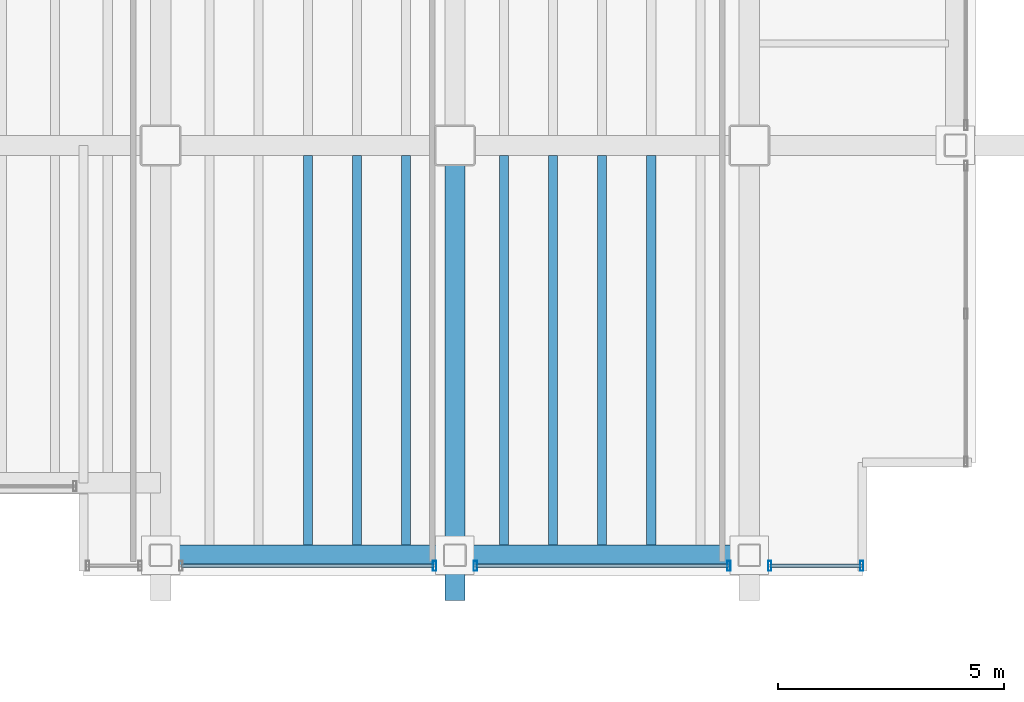
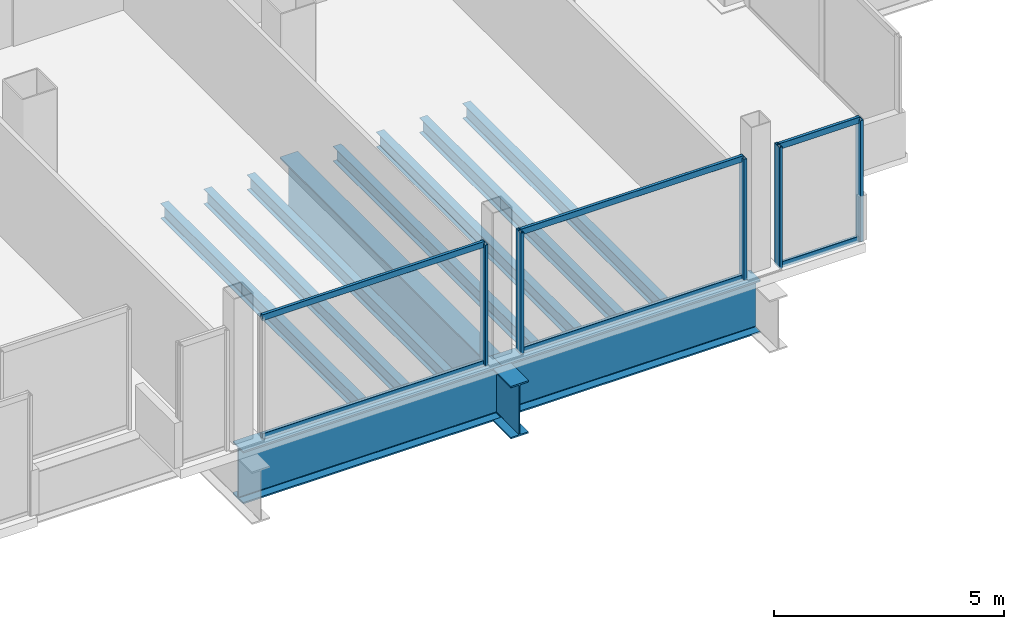
# One storey, part 14 of 24: 11 members, 10 beams, 3 elements without a shape of their own.
"""IFC4 building model written with IfcOpenShell, lengths in metres."""

from ifc_helpers import new_model, si_unit, direction, frame, origin, origin_2d, place, context, subcontext, project, spatial, hollow_rectangle, i_section, extrude, material, material_profile, profile_set, type_object, element, aggregate, save


model = new_model("IFC4")

# Units and contexts
model_context = context("Model", 3, precision=1e-05, world=origin(), true_north=direction((0.0, 1.0)))
body_context = subcontext(model_context, "Body", "Model", "MODEL_VIEW")
ifc_project = project(units=[si_unit("LENGTHUNIT", "METRE"), si_unit("AREAUNIT", "SQUARE_METRE"), si_unit("VOLUMEUNIT", "CUBIC_METRE"), si_unit("PLANEANGLEUNIT", "RADIAN"), si_unit("MASSUNIT", "GRAM", prefix="KILO")], contexts=[model_context])

# Site, building, storey
site_placement = place(None, origin())
site = spatial("IfcSite", under=ifc_project, at=site_placement, CompositionType="ELEMENT")
building_placement = place(site_placement, origin())
building = spatial("IfcBuilding", under=site, at=building_placement, Name="Noeulbin Bourse Tower", CompositionType="ELEMENT")
storey_placement = place(building_placement, frame((0.0, 0.0, 114.89990234375)))
storey = spatial("IfcBuildingStorey", under=building, at=storey_placement, Name="L28", CompositionType="ELEMENT", Elevation=114.89990234375)

# Beams
ifc_material_1 = material(Name="Steel S355", Category="steel")
ifc_material_profile_1 = material_profile(ifc_material_1, i_section(OverallWidth=0.199951171875, OverallDepth=0.39990234375, WebThickness=0.008056640625, FlangeThickness=0.012939453125, FilletRadius=0.01611328125, at=origin_2d()), Name="H-400x200x8x13", Category="LoadBearing")
ifc_profile_set_1 = profile_set([ifc_material_profile_1], Name="Steel S355")
beam_type_1 = type_object("IfcBeamType", Name="BM-SEC-400", PredefinedType="BEAM", material=ifc_profile_set_1)
for number, where, z_axis, x_axis, name in (
    (1, (34.25, 11.175048828125, -0.43994140625), (0.0, 1.0, 0.0), (-1.0, 0.0, 0.0), "Tower Composite Joist L28-31"),
    (2, (35.333251953125, 11.175048828125, -0.43994140625), (0.0, 1.0, 0.0), (-1.0, 0.0, 0.0), "Tower Composite Joist L28-33"),
    (3, (36.416748046875, 11.175048828125, -0.43994140625), (0.0, 1.0, 0.0), (-1.0, 0.0, 0.0), "Tower Composite Joist L28-35"),
    (4, (38.583251953125, 11.175048828125, -0.43994140625), (0.0, 1.0, 0.0), (-1.0, 0.0, 0.0), "Tower Composite Joist L28-37"),
    (5, (39.666748046875, 11.175048828125, -0.43994140625), (0.0, 1.0, 0.0), (-1.0, 0.0, 0.0), "Tower Composite Joist L28-39"),
    (6, (40.75, 11.175048828125, -0.43994140625), (0.0, 1.0, 0.0), (-1.0, 0.0, 0.0), "Tower Composite Joist L28-41"),
    (7, (41.833251953125, 11.175048828125, -0.43994140625), (0.0, 1.0, 0.0), (-1.0, 0.0, 0.0), "Tower Composite Joist L28-43"),
):
    element("IfcBeam", number, at=place(storey_placement, frame(where, z_axis=z_axis, x_axis=x_axis)), inside=storey, type_object=beam_type_1, Name=name, PredefinedType="BEAM", context=body_context, shape_type="SweptSolid", body=[
        extrude(i_section(OverallWidth=0.199951171875, OverallDepth=0.39990234375, WebThickness=0.008056640625, FlangeThickness=0.012939453125, FilletRadius=0.01611328125, at=origin_2d()), origin(), (0.0, 0.0, 1.0), 8.599853515625),
    ])
ifc_material_2 = material(Name="Steel S460", Category="steel")
ifc_material_profile_2 = material_profile(ifc_material_2, i_section(OverallWidth=0.449951171875, OverallDepth=1.39990234375, WebThickness=0.02392578125, FlangeThickness=0.0400390625, FilletRadius=0.02392578125, at=origin_2d()), Name="PG-1400x450x24x40", Category="LoadBearing")
ifc_profile_set_2 = profile_set([ifc_material_profile_2], Name="Steel S460")
beam_type_2 = type_object("IfcBeamType", Name="BM-TRF-1400", PredefinedType="USERDEFINED", material=ifc_profile_set_2)
beam_placement = place(storey_placement, frame((37.5, 9.949951171875, -0.93994140625), z_axis=(0.0, 1.0, 0.0), x_axis=(-1.0, 0.0, 0.0)))
element("IfcBeam", 8, at=beam_placement, inside=storey, type_object=beam_type_2, Name="Tower Primary Girder NS L28-4.1", ObjectType="GIRDER", PredefinedType="USERDEFINED", context=body_context, shape_type="SweptSolid", body=[
    extrude(i_section(OverallWidth=0.449951171875, OverallDepth=1.39990234375, WebThickness=0.02392578125, FlangeThickness=0.0400390625, FilletRadius=0.02392578125, at=origin_2d()), origin(), (0.0, 0.0, 1.0), 10.050048828125),
])
for number, where, z_axis, x_axis, name in (
    (9, (31.0, 10.949951171875, -0.93994140625), (1.0, 0.0, 0.0), (0.0, 1.0, 0.0), "South Spandrel L28-3"),
    (10, (37.5, 10.949951171875, -0.93994140625), (1.0, 0.0, 0.0), (0.0, 1.0, 0.0), "South Spandrel L28-4"),
):
    element("IfcBeam", number, at=place(storey_placement, frame(where, z_axis=z_axis, x_axis=x_axis)), inside=storey, type_object=beam_type_2, Name=name, ObjectType="GIRDER", PredefinedType="USERDEFINED", context=body_context, shape_type="SweptSolid", body=[
        extrude(i_section(OverallWidth=0.449951171875, OverallDepth=1.39990234375, WebThickness=0.02392578125, FlangeThickness=0.0400390625, FilletRadius=0.02392578125, at=origin_2d()), origin(), (0.0, 0.0, 1.0), 6.5),
    ])

# Curtain wall, member
ifc_material_3 = material(Name="Dark Tinted Triple Glazing", Category="glass")
curtain_wall_type = type_object("IfcCurtainWallType", Name="CW-SYS-3", PredefinedType="NOTDEFINED", material=ifc_material_3)
curtain_wall_1_placement = place(storey_placement, origin())
curtain_wall_1 = element("IfcCurtainWall", 11, at=curtain_wall_1_placement, inside=storey, type_object=curtain_wall_type, Name="Unitised Curtain Wall CW-L28-S3-S2", PredefinedType="NOTDEFINED")
ifc_material_4 = material(Name="Anodised Aluminium 6063-T6", Category="aluminium")
ifc_material_profile_3 = material_profile(ifc_material_4, hollow_rectangle(XDim=0.074951171875, YDim=0.219970703125, WallThickness=0.0048828125, InnerFilletRadius=0.00244140625, OuterFilletRadius=0.0048828125, at=origin_2d()), Name="ALU-MULL-75x220x5", Category="LoadBearing")
ifc_profile_set_3 = profile_set([ifc_material_profile_3], Name="Anodised Aluminium 6063-T6")
member_type_1 = type_object("IfcMemberType", Name="CW-SYS-3-MUL", PredefinedType="MULLION", material=ifc_profile_set_3)
member_1_placement = place(storey_placement, frame((37.050048828125, 10.719970703125, -0.02001953125), z_axis=(0.0, 0.0, 1.0), x_axis=(1.0, 0.0, 0.0)))
member_1 = element("IfcMember", 12, at=member_1_placement, type_object=member_type_1, Name="Curtain Wall Mullion CW-L28-S3-S2-M01", PredefinedType="MULLION", context=body_context, shape_type="SweptSolid", body=[
    extrude(hollow_rectangle(XDim=0.074951171875, YDim=0.219970703125, WallThickness=0.0048828125, InnerFilletRadius=0.00244140625, OuterFilletRadius=0.0048828125, at=origin_2d()), origin(), (0.0, 0.0, 1.0), 3.22021484375),
])

# Curtain wall, members
curtain_wall_2_placement = place(storey_placement, origin())
curtain_wall_2 = element("IfcCurtainWall", 13, at=curtain_wall_2_placement, inside=storey, type_object=curtain_wall_type, Name="Unitised Curtain Wall CW-L28-S3-S3", PredefinedType="NOTDEFINED")
member_2_placement = place(storey_placement, frame((37.949951171875, 10.719970703125, -0.02001953125), z_axis=(0.0, 0.0, 1.0), x_axis=(1.0, 0.0, 0.0)))
member_2 = element("IfcMember", 14, at=member_2_placement, type_object=member_type_1, Name="Curtain Wall Mullion CW-L28-S3-S3-M00", PredefinedType="MULLION", context=body_context, shape_type="SweptSolid", body=[
    extrude(hollow_rectangle(XDim=0.074951171875, YDim=0.219970703125, WallThickness=0.0048828125, InnerFilletRadius=0.00244140625, OuterFilletRadius=0.0048828125, at=origin_2d()), origin(), (0.0, 0.0, 1.0), 3.22021484375),
])
member_3_placement = place(storey_placement, frame((43.550048828125, 10.719970703125, -0.02001953125), z_axis=(0.0, 0.0, 1.0), x_axis=(1.0, 0.0, 0.0)))
member_3 = element("IfcMember", 15, at=member_3_placement, type_object=member_type_1, Name="Curtain Wall Mullion CW-L28-S3-S3-M01", PredefinedType="MULLION", context=body_context, shape_type="SweptSolid", body=[
    extrude(hollow_rectangle(XDim=0.074951171875, YDim=0.219970703125, WallThickness=0.0048828125, InnerFilletRadius=0.00244140625, OuterFilletRadius=0.0048828125, at=origin_2d()), origin(), (0.0, 0.0, 1.0), 3.22021484375),
])

curtain_wall_3_placement = place(storey_placement, origin())
curtain_wall_3 = element("IfcCurtainWall", 16, at=curtain_wall_3_placement, inside=storey, type_object=curtain_wall_type, Name="Unitised Curtain Wall CW-L28-S3-S4", PredefinedType="NOTDEFINED")
member_4_placement = place(storey_placement, frame((44.449951171875, 10.719970703125, -0.02001953125), z_axis=(0.0, 0.0, 1.0), x_axis=(1.0, 0.0, 0.0)))
member_4 = element("IfcMember", 17, at=member_4_placement, type_object=member_type_1, Name="Curtain Wall Mullion CW-L28-S3-S4-M00", PredefinedType="MULLION", context=body_context, shape_type="SweptSolid", body=[
    extrude(hollow_rectangle(XDim=0.074951171875, YDim=0.219970703125, WallThickness=0.0048828125, InnerFilletRadius=0.00244140625, OuterFilletRadius=0.0048828125, at=origin_2d()), origin(), (0.0, 0.0, 1.0), 3.22021484375),
])
member_5_placement = place(storey_placement, frame((46.47998046875, 10.719970703125, -0.02001953125), z_axis=(0.0, 0.0, 1.0), x_axis=(1.0, 0.0, 0.0)))
member_5 = element("IfcMember", 18, at=member_5_placement, type_object=member_type_1, Name="Curtain Wall Mullion CW-L28-S3-S4-M01", PredefinedType="MULLION", context=body_context, shape_type="SweptSolid", body=[
    extrude(hollow_rectangle(XDim=0.074951171875, YDim=0.219970703125, WallThickness=0.0048828125, InnerFilletRadius=0.00244140625, OuterFilletRadius=0.0048828125, at=origin_2d()), origin(), (0.0, 0.0, 1.0), 3.22021484375),
])

# Member
ifc_material_profile_4 = material_profile(ifc_material_4, hollow_rectangle(XDim=0.074951171875, YDim=0.159912109375, WallThickness=0.0048828125, InnerFilletRadius=0.00244140625, OuterFilletRadius=0.0048828125, at=origin_2d()), Name="ALU-TRAN-75x160x5", Category="LoadBearing")
ifc_profile_set_4 = profile_set([ifc_material_profile_4], Name="Anodised Aluminium 6063-T6")
member_type_2 = type_object("IfcMemberType", Name="CW-SYS-3-TRN", PredefinedType="USERDEFINED", material=ifc_profile_set_4)
member_6_placement = place(storey_placement, frame((31.4599609375, 10.719970703125, 0.010009765625), z_axis=(1.0, 0.0, 0.0), x_axis=(0.0, 1.0, 0.0)))
member_6 = element("IfcMember", 19, at=member_6_placement, type_object=member_type_2, Name="Curtain Wall Transom CW-L28-S3-S2-T00", ObjectType="TRANSOM", PredefinedType="USERDEFINED", context=body_context, shape_type="SweptSolid", body=[
    extrude(hollow_rectangle(XDim=0.074951171875, YDim=0.159912109375, WallThickness=0.0048828125, InnerFilletRadius=0.00244140625, OuterFilletRadius=0.0048828125, at=origin_2d()), origin(), (0.0, 0.0, 1.0), 5.580078125),
])

member_7_placement = place(storey_placement, frame((31.4599609375, 10.719970703125, 3.170166015625), z_axis=(1.0, 0.0, 0.0), x_axis=(0.0, 1.0, 0.0)))
member_7 = element("IfcMember", 20, at=member_7_placement, type_object=member_type_2, Name="Curtain Wall Transom CW-L28-S3-S2-T01", ObjectType="TRANSOM", PredefinedType="USERDEFINED", context=body_context, shape_type="SweptSolid", body=[
    extrude(hollow_rectangle(XDim=0.074951171875, YDim=0.159912109375, WallThickness=0.0048828125, InnerFilletRadius=0.00244140625, OuterFilletRadius=0.0048828125, at=origin_2d()), origin(), (0.0, 0.0, 1.0), 5.580078125),
])

aggregate(curtain_wall_1, [member_1, member_6, member_7])

member_8_placement = place(storey_placement, frame((37.9599609375, 10.719970703125, 0.010009765625), z_axis=(1.0, 0.0, 0.0), x_axis=(0.0, 1.0, 0.0)))
member_8 = element("IfcMember", 21, at=member_8_placement, type_object=member_type_2, Name="Curtain Wall Transom CW-L28-S3-S3-T00", ObjectType="TRANSOM", PredefinedType="USERDEFINED", context=body_context, shape_type="SweptSolid", body=[
    extrude(hollow_rectangle(XDim=0.074951171875, YDim=0.159912109375, WallThickness=0.0048828125, InnerFilletRadius=0.00244140625, OuterFilletRadius=0.0048828125, at=origin_2d()), origin(), (0.0, 0.0, 1.0), 5.580078125),
])

member_9_placement = place(storey_placement, frame((37.9599609375, 10.719970703125, 3.170166015625), z_axis=(1.0, 0.0, 0.0), x_axis=(0.0, 1.0, 0.0)))
member_9 = element("IfcMember", 22, at=member_9_placement, type_object=member_type_2, Name="Curtain Wall Transom CW-L28-S3-S3-T01", ObjectType="TRANSOM", PredefinedType="USERDEFINED", context=body_context, shape_type="SweptSolid", body=[
    extrude(hollow_rectangle(XDim=0.074951171875, YDim=0.159912109375, WallThickness=0.0048828125, InnerFilletRadius=0.00244140625, OuterFilletRadius=0.0048828125, at=origin_2d()), origin(), (0.0, 0.0, 1.0), 5.580078125),
])

aggregate(curtain_wall_2, [member_2, member_3, member_8, member_9])

member_10_placement = place(storey_placement, frame((44.4599609375, 10.719970703125, 0.010009765625), z_axis=(1.0, 0.0, 0.0), x_axis=(0.0, 1.0, 0.0)))
member_10 = element("IfcMember", 23, at=member_10_placement, type_object=member_type_2, Name="Curtain Wall Transom CW-L28-S3-S4-T00", ObjectType="TRANSOM", PredefinedType="USERDEFINED", context=body_context, shape_type="SweptSolid", body=[
    extrude(hollow_rectangle(XDim=0.074951171875, YDim=0.159912109375, WallThickness=0.0048828125, InnerFilletRadius=0.00244140625, OuterFilletRadius=0.0048828125, at=origin_2d()), origin(), (0.0, 0.0, 1.0), 2.010009765625),
])

member_11_placement = place(storey_placement, frame((44.4599609375, 10.719970703125, 3.170166015625), z_axis=(1.0, 0.0, 0.0), x_axis=(0.0, 1.0, 0.0)))
member_11 = element("IfcMember", 24, at=member_11_placement, type_object=member_type_2, Name="Curtain Wall Transom CW-L28-S3-S4-T01", ObjectType="TRANSOM", PredefinedType="USERDEFINED", context=body_context, shape_type="SweptSolid", body=[
    extrude(hollow_rectangle(XDim=0.074951171875, YDim=0.159912109375, WallThickness=0.0048828125, InnerFilletRadius=0.00244140625, OuterFilletRadius=0.0048828125, at=origin_2d()), origin(), (0.0, 0.0, 1.0), 2.010009765625),
])

aggregate(curtain_wall_3, [member_4, member_5, member_10, member_11])

save(model, "model.ifc")
